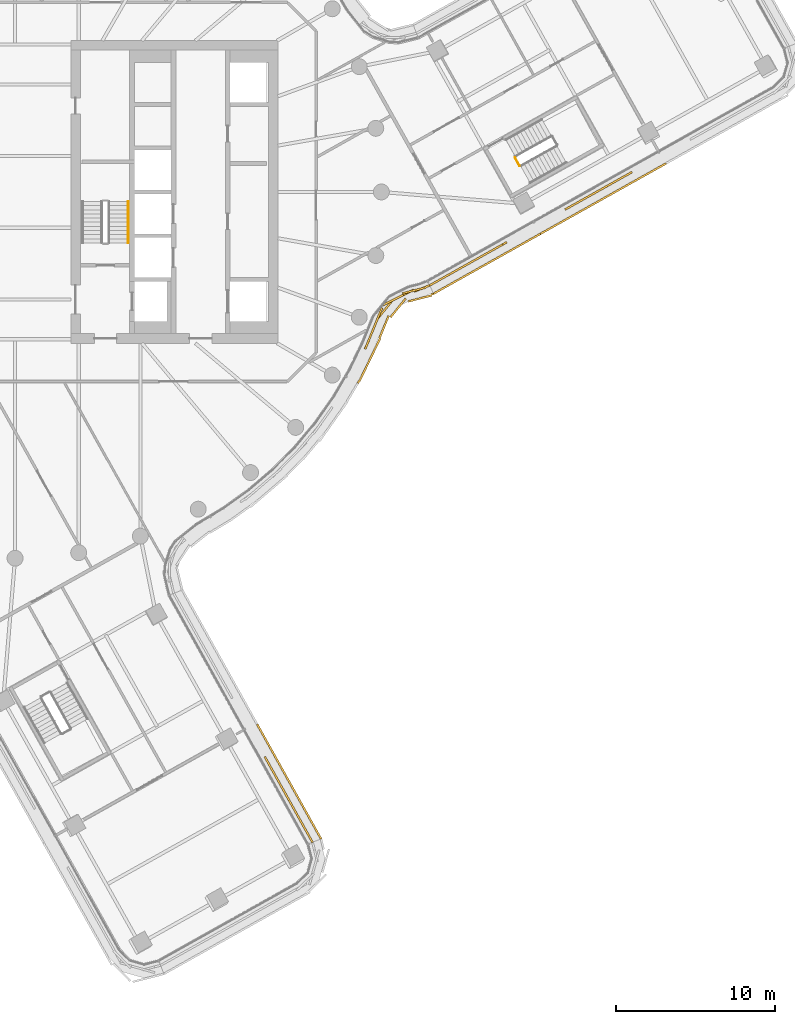
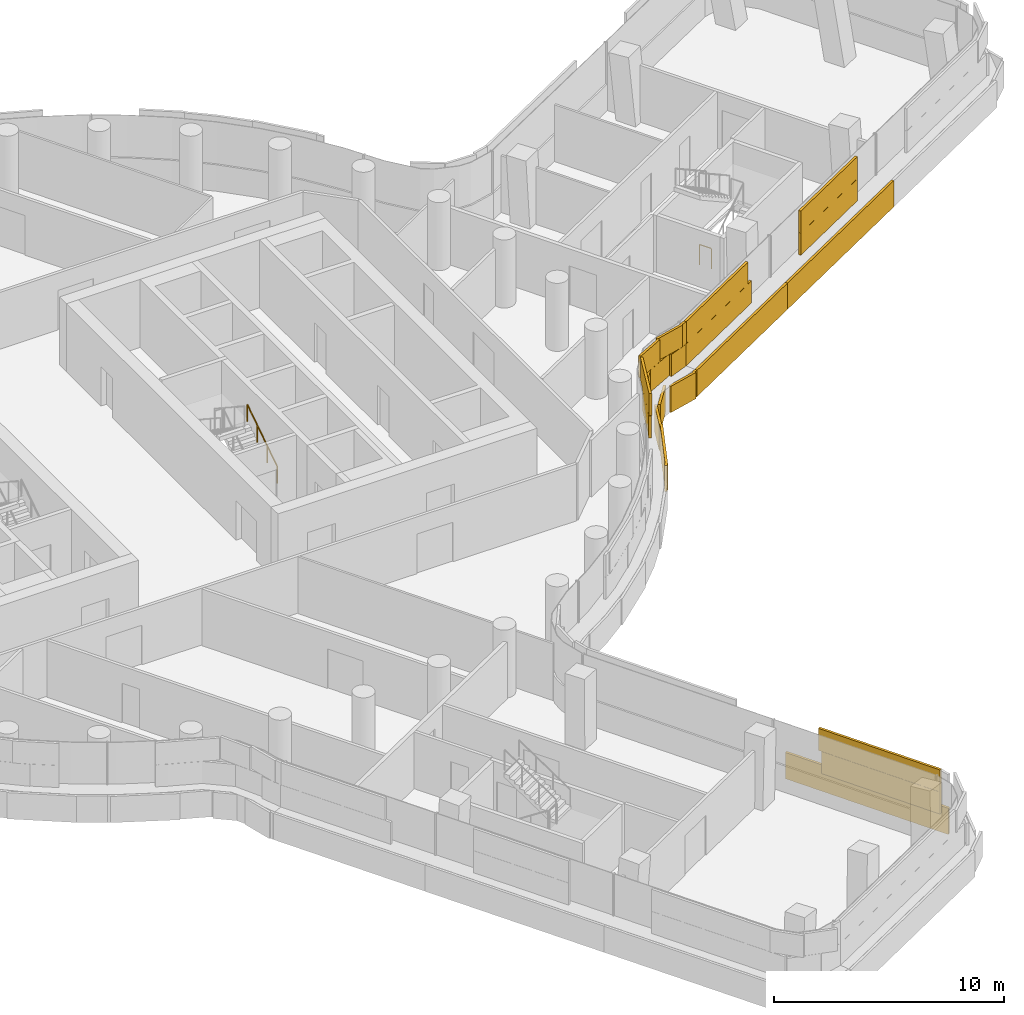
# One storey, part 31 of 34: 4 coverings, 2 railings.
"""IFC4 building model written with IfcOpenShell, lengths in metres."""

from ifc_helpers import new_model, si_unit, direction, frame, origin, origin_2d, place, context, subcontext, project, spatial, rectangle, circle, extrude, material, layer, layer_set, type_object, element, save


model = new_model("IFC4")

# Units and contexts
model_context = context("Model", 3, precision=1e-05, world=origin(), true_north=direction((0.0, 1.0)))
body_context = subcontext(model_context, "Body", "Model", "MODEL_VIEW")
ifc_project = project(units=[si_unit("LENGTHUNIT", "METRE"), si_unit("AREAUNIT", "SQUARE_METRE"), si_unit("VOLUMEUNIT", "CUBIC_METRE"), si_unit("PLANEANGLEUNIT", "RADIAN"), si_unit("MASSUNIT", "GRAM", prefix="KILO")], contexts=[model_context])

# Site, building, storey
site_placement = place(None, origin())
site = spatial("IfcSite", under=ifc_project, at=site_placement, CompositionType="ELEMENT")
building_placement = place(site_placement, origin())
building = spatial("IfcBuilding", under=site, at=building_placement, Name="Tamarind Cross Interchange Tower", CompositionType="ELEMENT")
storey_placement = place(building_placement, frame((0.0, 0.0, 140.5)))
storey = spatial("IfcBuildingStorey", under=building, at=storey_placement, Name="L34", CompositionType="ELEMENT", Elevation=140.5)

# Railings
ifc_material_1 = material(Name="Stair guard")
railing_type_1 = type_object("IfcRailingType", Name="Stair guard", PredefinedType="GUARDRAIL", material=ifc_material_1)
railing_1_placement = place(storey_placement, frame((31.682861328125, 1.641357421875, 0.0)))
element("IfcRailing", 1, at=railing_1_placement, inside=storey, type_object=railing_type_1, Name="L34 ST3 stair guard 4", PredefinedType="GUARDRAIL", context=body_context, shape_type="SweptSolid", body=[
    extrude(circle(Radius=0.02392578125, at=origin_2d()), frame((0.0, 0.0, 1.076171875), z_axis=(-0.488714884725, 0.872443557744, 0.0), x_axis=(-0.872443557744, -0.488714884725, 0.0)), (0.0, 0.0, 1.0), 0.599853515625),
    extrude(circle(Radius=0.02099609375, at=origin_2d()), origin(), (0.0, 0.0, 1.0), 1.052001953125),
    extrude(circle(Radius=0.02099609375, at=origin_2d()), frame((-0.293212890625, 0.5234375, 0.0)), (0.0, 0.0, 1.0), 1.052001953125),
])
ifc_material_2 = material(Name="Stair handrail")
railing_type_2 = type_object("IfcRailingType", Name="Stair handrail", PredefinedType="HANDRAIL", material=ifc_material_2)
railing_2_placement = place(storey_placement, frame((7.10009765625, -3.199951171875, 0.17041015625)))
element("IfcRailing", 2, at=railing_2_placement, inside=storey, type_object=railing_type_2, Name="L34 ST2 stair handrail 1", PredefinedType="HANDRAIL", context=body_context, shape_type="SweptSolid", body=[
    extrude(circle(Radius=0.02392578125, at=origin_2d()), frame((0.0, 0.0, 0.8759765625), z_axis=(0.0, 0.836278606002, 0.548304744775), x_axis=(-1.0, 0.0, 0.0)), (0.0, 0.0, 1.0), 3.10888671875),
    extrude(circle(Radius=0.02099609375, at=origin_2d()), origin(), (0.0, 0.0, 1.0), 0.851806640625),
    extrude(circle(Radius=0.02099609375, at=origin_2d()), frame((0.0, 0.86669921875, 0.568115234375)), (0.0, 0.0, 1.0), 0.851806640625),
    extrude(circle(Radius=0.02099609375, at=origin_2d()), frame((0.0, 1.733154296875, 1.136474609375)), (0.0, 0.0, 1.0), 0.851806640625),
    extrude(circle(Radius=0.02099609375, at=origin_2d()), frame((0.0, 2.599853515625, 1.70458984375)), (0.0, 0.0, 1.0), 0.851806640625),
])

# Coverings
ifc_material_3 = material(Name="Terracotta", Category="masonry")
ifc_layer = layer(ifc_material_3, 0.1201171875)
ifc_layer_set = layer_set([ifc_layer], Name="Terracotta")
covering_type = type_object("IfcCoveringType", Name="Terracotta baguette screen unit", PredefinedType="MOLDING", material=ifc_layer_set)
covering_1_placement = place(storey_placement, origin())
element("IfcCovering", 3, at=covering_1_placement, inside=storey, type_object=covering_type, Name="SCR-L34-05-00", PredefinedType="MOLDING", context=body_context, shape_type="SweptSolid", body=[
    extrude(rectangle(XDim=1.510009765625, YDim=0.1201171875, at=origin_2d()), frame((18.311767578125, -40.180908203125, 1.404052734375), z_axis=(0.0, 0.0, 1.0), x_axis=(-0.486914520101, 0.873449626547, 0.0)), (0.0, 0.0, 1.0), 1.1669921875),
    extrude(rectangle(XDim=1.52001953125, YDim=0.1201171875, at=origin_2d()), frame((17.581298828125, -38.87060546875, 1.404052734375), z_axis=(0.0, 0.0, 1.0), x_axis=(-0.486914520101, 0.873449626547, 0.0)), (0.0, 0.0, 1.0), 1.1669921875),
    extrude(rectangle(XDim=1.52001953125, YDim=0.1201171875, at=origin_2d()), frame((16.85107421875, -37.560546875, 1.404052734375), z_axis=(0.0, 0.0, 1.0), x_axis=(-0.486914520101, 0.873449626547, 0.0)), (0.0, 0.0, 1.0), 1.1669921875),
    extrude(rectangle(XDim=1.52001953125, YDim=0.1201171875, at=origin_2d()), frame((16.12060546875, -36.250244140625, 1.404052734375), z_axis=(0.0, 0.0, 1.0), x_axis=(-0.486914520101, 0.873449626547, 0.0)), (0.0, 0.0, 1.0), 1.1669921875),
    extrude(rectangle(XDim=0.760009765625, YDim=0.1201171875, at=origin_2d()), frame((18.494384765625, -40.50830078125, 2.5791015625), z_axis=(0.0, 0.0, 1.0), x_axis=(-0.486914520101, 0.873449626547, 0.0)), (0.0, 0.0, 1.0), 1.1669921875),
    extrude(rectangle(XDim=1.52001953125, YDim=0.1201171875, at=origin_2d()), frame((17.946533203125, -39.525634765625, 2.5791015625), z_axis=(0.0, 0.0, 1.0), x_axis=(-0.486914520101, 0.873449626547, 0.0)), (0.0, 0.0, 1.0), 1.1669921875),
    extrude(rectangle(XDim=1.52001953125, YDim=0.1201171875, at=origin_2d()), frame((17.21630859375, -38.215576171875, 2.5791015625), z_axis=(0.0, 0.0, 1.0), x_axis=(-0.486914520101, 0.873449626547, 0.0)), (0.0, 0.0, 1.0), 1.1669921875),
    extrude(rectangle(XDim=1.52001953125, YDim=0.1201171875, at=origin_2d()), frame((16.48583984375, -36.9052734375, 2.5791015625), z_axis=(0.0, 0.0, 1.0), x_axis=(-0.486914520101, 0.873449626547, 0.0)), (0.0, 0.0, 1.0), 1.1669921875),
    extrude(rectangle(XDim=0.90869140625, YDim=0.1201171875, at=origin_2d()), frame((15.90185546875, -35.85791015625, 2.5791015625), z_axis=(0.0, 0.0, 1.0), x_axis=(-0.486914520101, 0.873449626547, 0.0)), (0.0, 0.0, 1.0), 1.1669921875),
    extrude(rectangle(XDim=1.510009765625, YDim=0.1201171875, at=origin_2d()), frame((18.84716796875, -39.96240234375, 0.00390625), z_axis=(0.0, 0.0, 1.0), x_axis=(-0.486914520101, 0.873449626547, 0.0)), (0.0, 0.0, 1.0), 1.39208984375),
    extrude(rectangle(XDim=1.52001953125, YDim=0.1201171875, at=origin_2d()), frame((18.119140625, -38.65673828125, 0.00390625), z_axis=(0.0, 0.0, 1.0), x_axis=(-0.486914520101, 0.873449626547, 0.0)), (0.0, 0.0, 1.0), 1.39208984375),
    extrude(rectangle(XDim=1.52001953125, YDim=0.1201171875, at=origin_2d()), frame((17.388916015625, -37.346435546875, 0.00390625), z_axis=(0.0, 0.0, 1.0), x_axis=(-0.486914520101, 0.873449626547, 0.0)), (0.0, 0.0, 1.0), 1.39208984375),
    extrude(rectangle(XDim=1.52001953125, YDim=0.1201171875, at=origin_2d()), frame((16.658447265625, -36.036376953125, 0.00390625), z_axis=(0.0, 0.0, 1.0), x_axis=(-0.486914520101, 0.873449626547, 0.0)), (0.0, 0.0, 1.0), 1.39208984375),
    extrude(rectangle(XDim=1.52001953125, YDim=0.1201171875, at=origin_2d()), frame((15.92822265625, -34.72607421875, 0.00390625), z_axis=(0.0, 0.0, 1.0), x_axis=(-0.486914520101, 0.873449626547, 0.0)), (0.0, 0.0, 1.0), 1.39208984375),
    extrude(rectangle(XDim=0.75732421875, YDim=0.1201171875, at=origin_2d()), frame((15.383544921875, -33.7490234375, 0.00390625), z_axis=(0.0, 0.0, 1.0), x_axis=(-0.486914520101, 0.873449626547, 0.0)), (0.0, 0.0, 1.0), 1.39208984375),
])
covering_2_placement = place(storey_placement, origin())
element("IfcCovering", 4, at=covering_2_placement, inside=storey, type_object=covering_type, Name="SCR-L34-06-01", PredefinedType="MOLDING", context=body_context, shape_type="SweptSolid", body=[
    extrude(rectangle(XDim=0.543701171875, YDim=0.1201171875, at=origin_2d()), frame((22.0830078125, -9.613037109375, 1.404052734375), z_axis=(0.0, 0.0, 1.0), x_axis=(0.435326231914, 0.900272776334, 0.0)), (0.0, 0.0, 1.0), 1.1669921875),
    extrude(rectangle(XDim=1.52001953125, YDim=0.1201171875, at=origin_2d()), frame((22.469482421875, -8.672607421875, 1.404052734375), z_axis=(0.0, 0.0, 1.0), x_axis=(0.378236980126, 0.925708802413, 0.0)), (0.0, 0.0, 1.0), 1.1669921875),
    extrude(rectangle(XDim=1.52001953125, YDim=0.1201171875, at=origin_2d()), frame((23.220458984375, -7.392822265625, 1.404052734375), z_axis=(0.0, 0.0, 1.0), x_axis=(0.630278522807, 0.776369102739, 0.0)), (0.0, 0.0, 1.0), 1.1669921875),
    extrude(rectangle(XDim=1.52001953125, YDim=0.1201171875, at=origin_2d()), frame((24.3642578125, -6.47509765625, 1.404052734375), z_axis=(0.0, 0.0, 1.0), x_axis=(0.894010952706, 0.448045105365, 0.0)), (0.0, 0.0, 1.0), 1.1669921875),
    extrude(rectangle(XDim=1.04443359375, YDim=0.1201171875, at=origin_2d()), frame((25.553466796875, -6.05859375, 1.404052734375), z_axis=(0.0, 0.0, 1.0), x_axis=(0.928781093365, 0.37062876387, 0.0)), (0.0, 0.0, 1.0), 1.1669921875),
    extrude(rectangle(XDim=1.293701171875, YDim=0.1201171875, at=origin_2d()), frame((22.226806640625, -9.266845703125, 2.5791015625), z_axis=(0.0, 0.0, 1.0), x_axis=(0.378236980126, 0.925708802413, 0.0)), (0.0, 0.0, 1.0), 1.1669921875),
    extrude(rectangle(XDim=1.52001953125, YDim=0.1201171875, at=origin_2d()), frame((22.753173828125, -7.978271484375, 2.5791015625), z_axis=(0.0, 0.0, 1.0), x_axis=(0.378236980126, 0.925708802413, 0.0)), (0.0, 0.0, 1.0), 1.1669921875),
    extrude(rectangle(XDim=1.52001953125, YDim=0.1201171875, at=origin_2d()), frame((23.693603515625, -6.811279296875, 2.5791015625), z_axis=(0.0, 0.0, 1.0), x_axis=(0.894010952706, 0.448045105365, 0.0)), (0.0, 0.0, 1.0), 1.1669921875),
    extrude(rectangle(XDim=1.52001953125, YDim=0.1201171875, at=origin_2d()), frame((25.052978515625, -6.18798828125, 2.5791015625), z_axis=(0.0, 0.0, 1.0), x_axis=(0.969212003633, 0.246227723894, 0.0)), (0.0, 0.0, 1.0), 1.1669921875),
    extrude(rectangle(XDim=0.29443359375, YDim=0.1201171875, at=origin_2d()), frame((25.90185546875, -5.919677734375, 2.5791015625), z_axis=(0.0, 0.0, 1.0), x_axis=(0.928781093365, 0.37062876387, 0.0)), (0.0, 0.0, 1.0), 1.1669921875),
    extrude(rectangle(XDim=0.1552734375, YDim=0.1201171875, at=origin_2d()), frame((21.5634765625, -11.9404296875, 0.00390625), z_axis=(0.0, 0.0, 1.0), x_axis=(0.508183308752, 0.861248933065, 0.0)), (0.0, 0.0, 1.0), 1.39208984375),
    extrude(rectangle(XDim=1.52001953125, YDim=0.1201171875, at=origin_2d()), frame((21.944580078125, -11.2177734375, 0.00390625), z_axis=(0.0, 0.0, 1.0), x_axis=(0.435326231914, 0.900272776334, 0.0)), (0.0, 0.0, 1.0), 1.39208984375),
    extrude(rectangle(XDim=1.52001953125, YDim=0.1201171875, at=origin_2d()), frame((22.597412109375, -9.867431640625, 0.00390625), z_axis=(0.0, 0.0, 1.0), x_axis=(0.435326231914, 0.900272776334, 0.0)), (0.0, 0.0, 1.0), 1.39208984375),
    extrude(rectangle(XDim=1.52001953125, YDim=0.1201171875, at=origin_2d()), frame((23.168212890625, -8.48046875, 0.00390625), z_axis=(0.0, 0.0, 1.0), x_axis=(0.378236980126, 0.925708802413, 0.0)), (0.0, 0.0, 1.0), 1.39208984375),
    extrude(rectangle(XDim=1.52001953125, YDim=0.1201171875, at=origin_2d()), frame((24.052001953125, -7.279296875, 0.00390625), z_axis=(0.0, 0.0, 1.0), x_axis=(0.630278522807, 0.776369102739, 0.0)), (0.0, 0.0, 1.0), 1.39208984375),
    extrude(rectangle(XDim=1.52001953125, YDim=0.1201171875, at=origin_2d()), frame((25.4208984375, -6.686767578125, 0.00390625), z_axis=(0.0, 0.0, 1.0), x_axis=(0.969212003633, 0.246227723894, 0.0)), (0.0, 0.0, 1.0), 1.39208984375),
    extrude(rectangle(XDim=0.173583984375, YDim=0.1201171875, at=origin_2d()), frame((26.201171875, -6.418212890625, 0.00390625), z_axis=(0.0, 0.0, 1.0), x_axis=(0.928781093365, 0.37062876387, 0.0)), (0.0, 0.0, 1.0), 1.39208984375),
])
covering_3_placement = place(storey_placement, origin())
element("IfcCovering", 5, at=covering_3_placement, inside=storey, type_object=covering_type, Name="SCR-L34-07-00", PredefinedType="MOLDING", context=body_context, shape_type="SweptSolid", body=[
    extrude(rectangle(XDim=1.510009765625, YDim=0.1201171875, at=origin_2d()), frame((26.688232421875, -5.50048828125, 1.404052734375), z_axis=(0.0, 0.0, 1.0), x_axis=(0.872458481082, 0.488688242939, 0.0)), (0.0, 0.0, 1.0), 1.1669921875),
    extrude(rectangle(XDim=1.52001953125, YDim=0.1201171875, at=origin_2d()), frame((27.9970703125, -4.767333984375, 1.404052734375), z_axis=(0.0, 0.0, 1.0), x_axis=(0.872458481082, 0.488688242939, 0.0)), (0.0, 0.0, 1.0), 1.1669921875),
    extrude(rectangle(XDim=1.52001953125, YDim=0.1201171875, at=origin_2d()), frame((29.3056640625, -4.034423828125, 1.404052734375), z_axis=(0.0, 0.0, 1.0), x_axis=(0.872458481082, 0.488688242939, 0.0)), (0.0, 0.0, 1.0), 1.1669921875),
    extrude(rectangle(XDim=1.05712890625, YDim=0.1201171875, at=origin_2d()), frame((30.416748046875, -3.411865234375, 1.404052734375), z_axis=(0.0, 0.0, 1.0), x_axis=(0.872458481082, 0.488688242939, 0.0)), (0.0, 0.0, 1.0), 1.1669921875),
    extrude(rectangle(XDim=0.760009765625, YDim=0.1201171875, at=origin_2d()), frame((26.361083984375, -5.68359375, 2.5791015625), z_axis=(0.0, 0.0, 1.0), x_axis=(0.872458481082, 0.488688242939, 0.0)), (0.0, 0.0, 1.0), 1.1669921875),
    extrude(rectangle(XDim=1.52001953125, YDim=0.1201171875, at=origin_2d()), frame((27.342529296875, -5.1337890625, 2.5791015625), z_axis=(0.0, 0.0, 1.0), x_axis=(0.872458481082, 0.488688242939, 0.0)), (0.0, 0.0, 1.0), 1.1669921875),
    extrude(rectangle(XDim=1.52001953125, YDim=0.1201171875, at=origin_2d()), frame((28.6513671875, -4.40087890625, 2.5791015625), z_axis=(0.0, 0.0, 1.0), x_axis=(0.872458481082, 0.488688242939, 0.0)), (0.0, 0.0, 1.0), 1.1669921875),
    extrude(rectangle(XDim=1.52001953125, YDim=0.1201171875, at=origin_2d()), frame((29.9599609375, -3.667724609375, 2.5791015625), z_axis=(0.0, 0.0, 1.0), x_axis=(0.872458481082, 0.488688242939, 0.0)), (0.0, 0.0, 1.0), 1.1669921875),
    extrude(rectangle(XDim=1.510009765625, YDim=0.1201171875, at=origin_2d()), frame((26.9404296875, -6.01708984375, 0.00390625), z_axis=(0.0, 0.0, 1.0), x_axis=(0.872458481082, 0.488688242939, 0.0)), (0.0, 0.0, 1.0), 1.39208984375),
    extrude(rectangle(XDim=1.52001953125, YDim=0.1201171875, at=origin_2d()), frame((28.24462890625, -5.28662109375, 0.00390625), z_axis=(0.0, 0.0, 1.0), x_axis=(0.872458481082, 0.488688242939, 0.0)), (0.0, 0.0, 1.0), 1.39208984375),
    extrude(rectangle(XDim=1.52001953125, YDim=0.1201171875, at=origin_2d()), frame((29.553466796875, -4.553466796875, 0.00390625), z_axis=(0.0, 0.0, 1.0), x_axis=(0.872458481082, 0.488688242939, 0.0)), (0.0, 0.0, 1.0), 1.39208984375),
    extrude(rectangle(XDim=1.52001953125, YDim=0.1201171875, at=origin_2d()), frame((30.862060546875, -3.820556640625, 0.00390625), z_axis=(0.0, 0.0, 1.0), x_axis=(0.872458481082, 0.488688242939, 0.0)), (0.0, 0.0, 1.0), 1.39208984375),
    extrude(rectangle(XDim=1.52001953125, YDim=0.1201171875, at=origin_2d()), frame((32.170654296875, -3.08740234375, 0.00390625), z_axis=(0.0, 0.0, 1.0), x_axis=(0.872458481082, 0.488688242939, 0.0)), (0.0, 0.0, 1.0), 1.39208984375),
    extrude(rectangle(XDim=0.19189453125, YDim=0.1201171875, at=origin_2d()), frame((32.900146484375, -2.678955078125, 0.00390625), z_axis=(0.0, 0.0, 1.0), x_axis=(0.872458481082, 0.488688242939, 0.0)), (0.0, 0.0, 1.0), 1.39208984375),
])
covering_4_placement = place(storey_placement, origin())
element("IfcCovering", 6, at=covering_4_placement, inside=storey, type_object=covering_type, Name="SCR-L34-07-01", PredefinedType="MOLDING", context=body_context, shape_type="SweptSolid", body=[
    extrude(rectangle(XDim=0.762939453125, YDim=0.1201171875, at=origin_2d()), frame((34.866455078125, -0.919677734375, 1.404052734375), z_axis=(0.0, 0.0, 1.0), x_axis=(0.872458481082, 0.488688242939, 0.0)), (0.0, 0.0, 1.0), 1.1669921875),
    extrude(rectangle(XDim=1.52001953125, YDim=0.1201171875, at=origin_2d()), frame((35.84912109375, -0.369140625, 1.404052734375), z_axis=(0.0, 0.0, 1.0), x_axis=(0.872458481082, 0.488688242939, 0.0)), (0.0, 0.0, 1.0), 1.1669921875),
    extrude(rectangle(XDim=1.52001953125, YDim=0.1201171875, at=origin_2d()), frame((37.15771484375, 0.36376953125, 1.404052734375), z_axis=(0.0, 0.0, 1.0), x_axis=(0.872458481082, 0.488688242939, 0.0)), (0.0, 0.0, 1.0), 1.1669921875),
    extrude(rectangle(XDim=1.0634765625, YDim=0.1201171875, at=origin_2d()), frame((38.271728515625, 0.98779296875, 1.404052734375), z_axis=(0.0, 0.0, 1.0), x_axis=(0.872458481082, 0.488688242939, 0.0)), (0.0, 0.0, 1.0), 1.1669921875),
    extrude(rectangle(XDim=1.52001953125, YDim=0.1201171875, at=origin_2d()), frame((35.19482421875, -0.735595703125, 2.5791015625), z_axis=(0.0, 0.0, 1.0), x_axis=(0.872458481082, 0.488688242939, 0.0)), (0.0, 0.0, 1.0), 1.1669921875),
    extrude(rectangle(XDim=1.52001953125, YDim=0.1201171875, at=origin_2d()), frame((36.50341796875, -0.002685546875, 2.5791015625), z_axis=(0.0, 0.0, 1.0), x_axis=(0.872458481082, 0.488688242939, 0.0)), (0.0, 0.0, 1.0), 1.1669921875),
    extrude(rectangle(XDim=1.52001953125, YDim=0.1201171875, at=origin_2d()), frame((37.812255859375, 0.73046875, 2.5791015625), z_axis=(0.0, 0.0, 1.0), x_axis=(0.872458481082, 0.488688242939, 0.0)), (0.0, 0.0, 1.0), 1.1669921875),
    extrude(rectangle(XDim=0.3134765625, YDim=0.1201171875, at=origin_2d()), frame((38.598876953125, 1.171142578125, 2.5791015625), z_axis=(0.0, 0.0, 1.0), x_axis=(0.872458481082, 0.488688242939, 0.0)), (0.0, 0.0, 1.0), 1.1669921875),
    extrude(rectangle(XDim=1.328125, YDim=0.1201171875, at=origin_2d()), frame((33.563232421875, -2.3076171875, 0.00390625), z_axis=(0.0, 0.0, 1.0), x_axis=(0.872458481082, 0.488688242939, 0.0)), (0.0, 0.0, 1.0), 1.39208984375),
    extrude(rectangle(XDim=1.52001953125, YDim=0.1201171875, at=origin_2d()), frame((34.7880859375, -1.621337890625, 0.00390625), z_axis=(0.0, 0.0, 1.0), x_axis=(0.872458481082, 0.488688242939, 0.0)), (0.0, 0.0, 1.0), 1.39208984375),
    extrude(rectangle(XDim=1.52001953125, YDim=0.1201171875, at=origin_2d()), frame((36.0966796875, -0.888427734375, 0.00390625), z_axis=(0.0, 0.0, 1.0), x_axis=(0.872458481082, 0.488688242939, 0.0)), (0.0, 0.0, 1.0), 1.39208984375),
    extrude(rectangle(XDim=1.52001953125, YDim=0.1201171875, at=origin_2d()), frame((37.405517578125, -0.1552734375, 0.00390625), z_axis=(0.0, 0.0, 1.0), x_axis=(0.872458481082, 0.488688242939, 0.0)), (0.0, 0.0, 1.0), 1.39208984375),
    extrude(rectangle(XDim=1.52001953125, YDim=0.1201171875, at=origin_2d()), frame((38.714111328125, 0.57763671875, 0.00390625), z_axis=(0.0, 0.0, 1.0), x_axis=(0.872458481082, 0.488688242939, 0.0)), (0.0, 0.0, 1.0), 1.39208984375),
    extrude(rectangle(XDim=1.52001953125, YDim=0.1201171875, at=origin_2d()), frame((40.02294921875, 1.310791015625, 0.00390625), z_axis=(0.0, 0.0, 1.0), x_axis=(0.872458481082, 0.488688242939, 0.0)), (0.0, 0.0, 1.0), 1.39208984375),
    extrude(rectangle(XDim=0.2392578125, YDim=0.1201171875, at=origin_2d()), frame((40.77294921875, 1.730712890625, 0.00390625), z_axis=(0.0, 0.0, 1.0), x_axis=(0.872458481082, 0.488688242939, 0.0)), (0.0, 0.0, 1.0), 1.39208984375),
])

save(model, "model.ifc")
